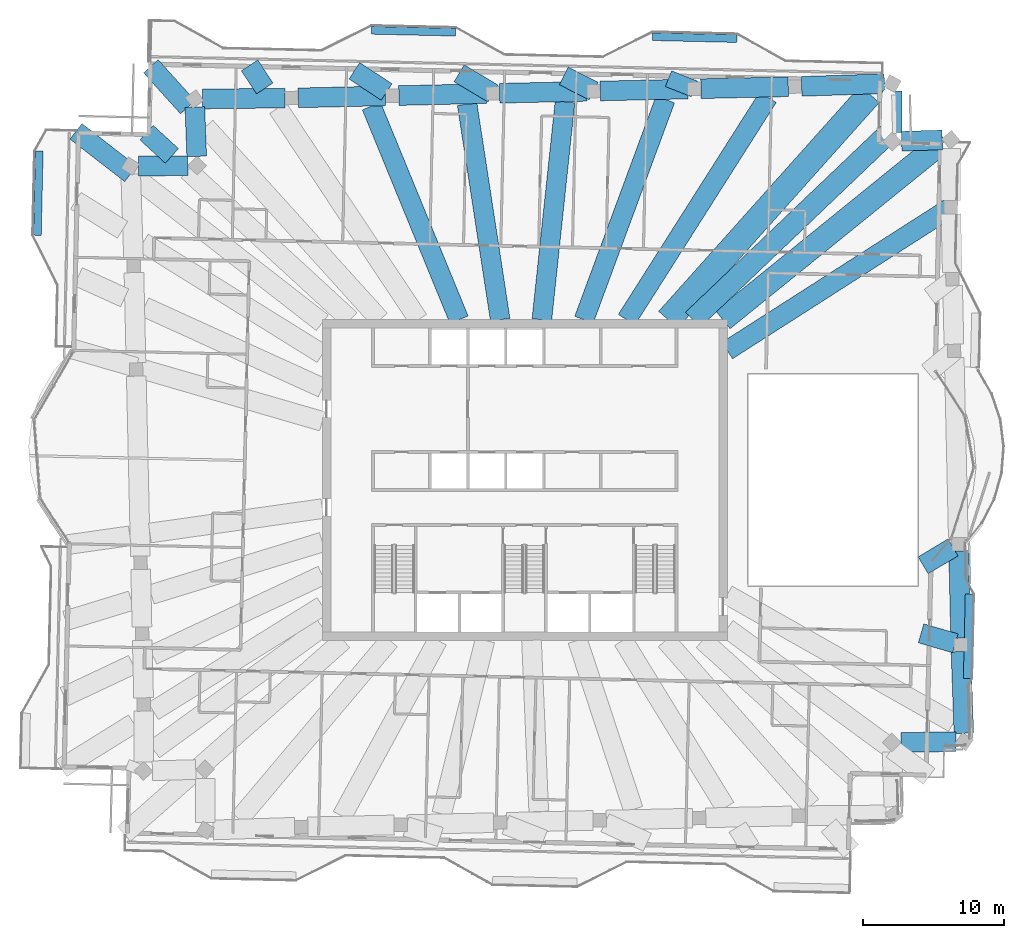
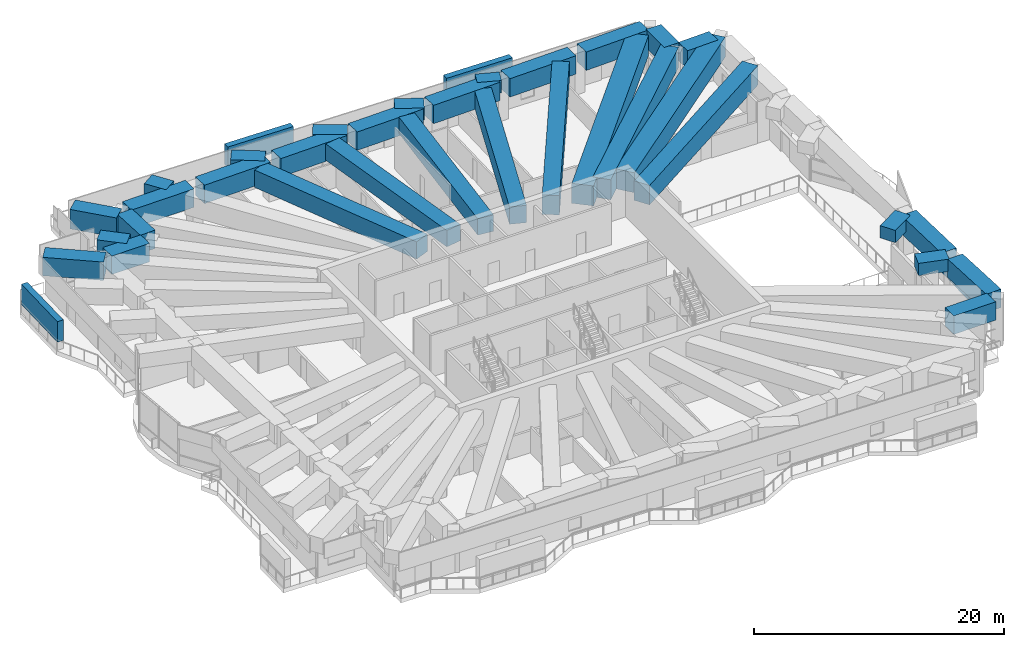
# One storey, part 5 of 20: 33 beams, 4 members.
"""IFC4 building model written with IfcOpenShell, lengths in metres."""

from ifc_helpers import new_model, si_unit, direction, frame, origin, origin_2d, place, context, subcontext, project, spatial, rectangle, extrude, material, material_profile, profile_set, type_object, element, save


model = new_model("IFC4")

# Units and contexts
model_context = context("Model", 3, precision=1e-05, world=origin(), true_north=direction((0.0, 1.0)))
body_context = subcontext(model_context, "Body", "Model", "MODEL_VIEW")
ifc_project = project(units=[si_unit("LENGTHUNIT", "METRE"), si_unit("AREAUNIT", "SQUARE_METRE"), si_unit("VOLUMEUNIT", "CUBIC_METRE"), si_unit("PLANEANGLEUNIT", "RADIAN"), si_unit("MASSUNIT", "GRAM", prefix="KILO")], contexts=[model_context])

# Site, building, storey
site_placement = place(None, origin())
site = spatial("IfcSite", under=ifc_project, at=site_placement, CompositionType="ELEMENT")
building_placement = place(site_placement, origin())
building = spatial("IfcBuilding", under=site, at=building_placement, Name="Mangrove Gate Tower", CompositionType="ELEMENT")
storey_placement = place(building_placement, frame((0.0, 0.0, 301.5)))
storey = spatial("IfcBuildingStorey", under=building, at=storey_placement, Name="L77", CompositionType="ELEMENT", Elevation=301.5)

# Members
ifc_material_1 = material(Name="Planting on aluminium trellis", Category="aluminium")
ifc_material_profile_1 = material_profile(ifc_material_1, rectangle(XDim=0.550048828125, YDim=2.0, at=origin_2d()))
ifc_profile_set_1 = profile_set([ifc_material_profile_1], Name="Planting on aluminium trellis")
member_type = type_object("IfcMemberType", Name="Balcony greenery screen 550x2000", PredefinedType="USERDEFINED", material=ifc_profile_set_1)
member_1_placement = place(storey_placement, frame((31.466064453125, -14.10498046875, 1.800048828125), z_axis=(0.022662255828, 0.999743178102, 0.0), x_axis=(-0.999743178102, 0.022662255828, 0.0)))
element("IfcMember", 1, at=member_1_placement, inside=storey, type_object=member_type, Name="GREEN SCREEN L77 E0.1", ObjectType="PLANTING", PredefinedType="USERDEFINED", context=body_context, shape_type="SweptSolid", body=[
    extrude(rectangle(XDim=0.550048828125, YDim=2.0, at=origin_2d()), origin(), (0.0, 0.0, 1.0), 6.00048828125),
])
member_2_placement = place(storey_placement, frame((9.0810546875, 31.530029296875, 1.800048828125), z_axis=(0.999743094499, -0.022665943652, 0.0), x_axis=(0.022665943652, 0.999743094499, 0.0)))
element("IfcMember", 2, at=member_2_placement, inside=storey, type_object=member_type, Name="GREEN SCREEN L77 N0.1", ObjectType="PLANTING", PredefinedType="USERDEFINED", context=body_context, shape_type="SweptSolid", body=[
    extrude(rectangle(XDim=0.550048828125, YDim=2.0, at=origin_2d()), origin(), (0.0, 0.0, 1.0), 5.99951171875),
])
member_3_placement = place(storey_placement, frame((-10.9140625, 31.98388671875, 1.800048828125), z_axis=(0.999743178102, -0.022662255828, 0.0), x_axis=(0.022662255828, 0.999743178102, 0.0)))
element("IfcMember", 3, at=member_3_placement, inside=storey, type_object=member_type, Name="GREEN SCREEN L77 N1.1", ObjectType="PLANTING", PredefinedType="USERDEFINED", context=body_context, shape_type="SweptSolid", body=[
    extrude(rectangle(XDim=0.550048828125, YDim=2.0, at=origin_2d()), origin(), (0.0, 0.0, 1.0), 6.00048828125),
])
member_4_placement = place(storey_placement, frame((-34.666015625, 17.405029296875, 1.800048828125), z_axis=(0.022665943652, 0.999743094499, 0.0), x_axis=(-0.999743094499, 0.022665943652, 0.0)))
element("IfcMember", 4, at=member_4_placement, inside=storey, type_object=member_type, Name="GREEN SCREEN L77 W0.1", ObjectType="PLANTING", PredefinedType="USERDEFINED", context=body_context, shape_type="SweptSolid", body=[
    extrude(rectangle(XDim=0.550048828125, YDim=2.0, at=origin_2d()), origin(), (0.0, 0.0, 1.0), 5.99951171875),
])

# Beams
ifc_material_2 = material(Name="Concrete C50/60", Category="concrete")
ifc_material_profile_2 = material_profile(ifc_material_2, rectangle(XDim=1.199951171875, YDim=1.199951171875, at=origin_2d()))
ifc_profile_set_2 = profile_set([ifc_material_profile_2], Name="Concrete C50/60")
beam_type_1 = type_object("IfcBeamType", Name="Transfer girder RC 1200x1200 C50/60", PredefinedType="BEAM", material=ifc_profile_set_2)
beam_1_placement = place(storey_placement, frame((12.052734375, 27.819091796875, 3.449951171875), z_axis=(-0.930418625067, 0.366498543145, 0.0), x_axis=(-0.366498543145, -0.930418625067, 0.0)))
element("IfcBeam", 5, at=beam_1_placement, inside=storey, type_object=beam_type_1, Name="Transfer edge girder L77 25", PredefinedType="BEAM", context=body_context, shape_type="SweptSolid", body=[
    extrude(rectangle(XDim=1.199951171875, YDim=1.199951171875, at=origin_2d()), origin(), (0.0, 0.0, 1.0), 1.972412109375),
])
ifc_material_3 = material(Name="Concrete C50/60", Category="concrete")
ifc_material_profile_3 = material_profile(ifc_material_3, rectangle(XDim=1.39990234375, YDim=1.199951171875, at=origin_2d()))
ifc_profile_set_3 = profile_set([ifc_material_profile_3], Name="Concrete C50/60")
beam_type_2 = type_object("IfcBeamType", Name="Transfer girder RC 1400x1200 C50/60", PredefinedType="BEAM", material=ifc_profile_set_3)
beam_2_placement = place(storey_placement, frame((30.621826171875, -11.6123046875, 3.449951171875), z_axis=(-0.960089299308, 0.279693649113, 0.0), x_axis=(-0.279693649113, -0.960089299308, 0.0)))
element("IfcBeam", 6, at=beam_2_placement, inside=storey, type_object=beam_type_2, Name="Transfer edge girder L77 16", PredefinedType="BEAM", context=body_context, shape_type="SweptSolid", body=[
    extrude(rectangle(XDim=1.39990234375, YDim=1.199951171875, at=origin_2d()), origin(), (0.0, 0.0, 1.0), 2.5400390625),
])
beam_3_placement = place(storey_placement, frame((30.458251953125, -4.792724609375, 3.449951171875), z_axis=(-0.85835129004, -0.513062435661, 0.0), x_axis=(0.513062435661, -0.85835129004, 0.0)))
element("IfcBeam", 7, at=beam_3_placement, inside=storey, type_object=beam_type_2, Name="Transfer edge girder L77 17", PredefinedType="BEAM", context=body_context, shape_type="SweptSolid", body=[
    extrude(rectangle(XDim=1.39990234375, YDim=1.199951171875, at=origin_2d()), origin(), (0.0, 0.0, 1.0), 2.481201171875),
])
beam_4_placement = place(storey_placement, frame((4.891845703125, 27.656005859375, 3.449951171875), z_axis=(-0.890451318412, 0.455078509202, 0.0), x_axis=(-0.455078509202, -0.890451318412, 0.0)))
element("IfcBeam", 8, at=beam_4_placement, inside=storey, type_object=beam_type_2, Name="Transfer edge girder L77 26", PredefinedType="BEAM", context=body_context, shape_type="SweptSolid", body=[
    extrude(rectangle(XDim=1.39990234375, YDim=1.199951171875, at=origin_2d()), origin(), (0.0, 0.0, 1.0), 2.378662109375),
])
beam_5_placement = place(storey_placement, frame((-2.268310546875, 27.494140625, 3.449951171875), z_axis=(-0.859358638696, 0.511373376408, 0.0), x_axis=(-0.511373376408, -0.859358638696, 0.0)))
element("IfcBeam", 9, at=beam_5_placement, inside=storey, type_object=beam_type_2, Name="Transfer edge girder L77 27", PredefinedType="BEAM", context=body_context, shape_type="SweptSolid", body=[
    extrude(rectangle(XDim=1.39990234375, YDim=1.199951171875, at=origin_2d()), origin(), (0.0, 0.0, 1.0), 2.797119140625),
])
beam_6_placement = place(storey_placement, frame((-9.828125, 27.59423828125, 3.449951171875), z_axis=(-0.834844866754, 0.550485284503, 0.0), x_axis=(-0.550485284503, -0.834844866754, 0.0)))
element("IfcBeam", 10, at=beam_6_placement, inside=storey, type_object=beam_type_2, Name="Transfer edge girder L77 28", PredefinedType="BEAM", context=body_context, shape_type="SweptSolid", body=[
    extrude(rectangle(XDim=1.39990234375, YDim=1.199951171875, at=origin_2d()), origin(), (0.0, 0.0, 1.0), 2.744873046875),
])
ifc_material_4 = material(Name="Concrete C50/60", Category="concrete")
ifc_material_profile_4 = material_profile(ifc_material_4, rectangle(XDim=1.39990234375, YDim=1.60009765625, at=origin_2d()))
ifc_profile_set_4 = profile_set([ifc_material_profile_4], Name="Concrete C50/60")
beam_type_3 = type_object("IfcBeamType", Name="Transfer girder RC 1400x1600 C50/60", PredefinedType="BEAM", material=ifc_profile_set_4)
beam_7_placement = place(storey_placement, frame((1.2119140625, 11.39990234375, 3.25), z_axis=(0.105718815224, 0.994396064004, 0.0), x_axis=(-0.994396064004, 0.105718815224, 0.0)))
element("IfcBeam", 11, at=beam_7_placement, inside=storey, type_object=beam_type_3, Name="Transfer girder L77 26", PredefinedType="BEAM", context=body_context, shape_type="SweptSolid", body=[
    extrude(rectangle(XDim=1.39990234375, YDim=1.60009765625, at=origin_2d()), origin(), (0.0, 0.0, 1.0), 15.58349609375),
])
beam_8_placement = place(storey_placement, frame((-1.7490234375, 11.39990234375, 3.25), z_axis=(-0.151649298483, 0.988434363157, 0.0), x_axis=(-0.988434363157, -0.151649298483, 0.0)))
element("IfcBeam", 12, at=beam_8_placement, inside=storey, type_object=beam_type_3, Name="Transfer girder L77 27", PredefinedType="BEAM", context=body_context, shape_type="SweptSolid", body=[
    extrude(rectangle(XDim=1.39990234375, YDim=1.60009765625, at=origin_2d()), origin(), (0.0, 0.0, 1.0), 15.517822265625),
])
beam_9_placement = place(storey_placement, frame((-25.098876953125, 23.051513671875, 3.25), z_axis=(-0.736508614695, 0.676428163577, 0.0), x_axis=(-0.676428163577, -0.736508614695, 0.0)))
element("IfcBeam", 13, at=beam_9_placement, inside=storey, type_object=beam_type_3, Name="Transfer cantilever girder L77 31", PredefinedType="BEAM", context=body_context, shape_type="SweptSolid", body=[
    extrude(rectangle(XDim=1.39990234375, YDim=1.60009765625, at=origin_2d()), origin(), (0.0, 0.0, 1.0), 2.450439453125),
])
ifc_material_5 = material(Name="Concrete C50/60", Category="concrete")
ifc_material_profile_5 = material_profile(ifc_material_5, rectangle(XDim=1.39990234375, YDim=1.699951171875, at=origin_2d()))
ifc_profile_set_5 = profile_set([ifc_material_profile_5], Name="Concrete C50/60")
beam_type_4 = type_object("IfcBeamType", Name="Transfer girder RC 1400x1700 C50/60", PredefinedType="BEAM", material=ifc_profile_set_5)
beam_10_placement = place(storey_placement, frame((4.208740234375, 11.39990234375, 3.199951171875), z_axis=(0.346339442759, 0.938109263567, 0.0), x_axis=(-0.938109263567, 0.346339442759, 0.0)))
element("IfcBeam", 14, at=beam_10_placement, inside=storey, type_object=beam_type_4, Name="Transfer girder L77 25", PredefinedType="BEAM", context=body_context, shape_type="SweptSolid", body=[
    extrude(rectangle(XDim=1.39990234375, YDim=1.699951171875, at=origin_2d()), origin(), (0.0, 0.0, 1.0), 16.69873046875),
])
beam_11_placement = place(storey_placement, frame((-4.675537109375, 11.39990234375, 3.199951171875), z_axis=(-0.379448641317, 0.925212801794, 0.0), x_axis=(-0.925212801794, -0.379448641317, 0.0)))
element("IfcBeam", 15, at=beam_11_placement, inside=storey, type_object=beam_type_4, Name="Transfer girder L77 28", PredefinedType="BEAM", context=body_context, shape_type="SweptSolid", body=[
    extrude(rectangle(XDim=1.39990234375, YDim=1.699951171875, at=origin_2d()), origin(), (0.0, 0.0, 1.0), 16.416015625),
])
ifc_material_6 = material(Name="Concrete C50/60", Category="concrete")
ifc_material_profile_6 = material_profile(ifc_material_6, rectangle(XDim=1.39990234375, YDim=1.800048828125, at=origin_2d()))
ifc_profile_set_6 = profile_set([ifc_material_profile_6], Name="Concrete C50/60")
beam_type_5 = type_object("IfcBeamType", Name="Transfer girder RC 1400x1800 C50/60", PredefinedType="BEAM", material=ifc_profile_set_6)
beam_12_placement = place(storey_placement, frame((26.763916015625, -18.656005859375, 3.14990234375), z_axis=(0.99993236047, 0.011630755991, 0.0), x_axis=(-0.011630755991, 0.99993236047, 0.0)))
element("IfcBeam", 16, at=beam_12_placement, inside=storey, type_object=beam_type_5, Name="Transfer ring girder L77 13", PredefinedType="BEAM", context=body_context, shape_type="SweptSolid", body=[
    extrude(rectangle(XDim=1.39990234375, YDim=1.800048828125, at=origin_2d()), origin(), (0.0, 0.0, 1.0), 3.904296875),
])
beam_13_placement = place(storey_placement, frame((31.229248046875, -18.011474609375, 3.14990234375), z_axis=(-0.035802315604, 0.999358891589, 0.0), x_axis=(-0.999358891589, -0.035802315604, 0.0)))
element("IfcBeam", 17, at=beam_13_placement, inside=storey, type_object=beam_type_5, Name="Transfer ring girder L77 14", PredefinedType="BEAM", context=body_context, shape_type="SweptSolid", body=[
    extrude(rectangle(XDim=1.39990234375, YDim=1.800048828125, at=origin_2d()), origin(), (0.0, 0.0, 1.0), 5.816650390625),
])
beam_14_placement = place(storey_placement, frame((30.993408203125, -11.248779296875, 3.14990234375), z_axis=(-0.022756223778, 0.99974104361, 0.0), x_axis=(-0.99974104361, -0.022756223778, 0.0)))
element("IfcBeam", 18, at=beam_14_placement, inside=storey, type_object=beam_type_5, Name="Transfer ring girder L77 15", PredefinedType="BEAM", context=body_context, shape_type="SweptSolid", body=[
    extrude(rectangle(XDim=1.39990234375, YDim=1.800048828125, at=origin_2d()), origin(), (0.0, 0.0, 1.0), 6.2119140625),
])
beam_15_placement = place(storey_placement, frame((29.6865234375, 24.186279296875, 3.14990234375), z_axis=(-0.99952516479, -0.030813064624, 0.0), x_axis=(0.030813064624, -0.99952516479, 0.0)))
element("IfcBeam", 19, at=beam_15_placement, inside=storey, type_object=beam_type_5, Name="Transfer ring girder L77 20", PredefinedType="BEAM", context=body_context, shape_type="SweptSolid", body=[
    extrude(rectangle(XDim=1.39990234375, YDim=1.800048828125, at=origin_2d()), origin(), (0.0, 0.0, 1.0), 2.89208984375),
])
beam_16_placement = place(storey_placement, frame((26.130126953125, 24.7333984375, 3.14990234375), z_axis=(0.00058381975, 0.999999829577, 0.0), x_axis=(-0.999999829577, 0.00058381975, 0.0)))
element("IfcBeam", 20, at=beam_16_placement, inside=storey, type_object=beam_type_5, Name="Transfer ring girder L77 21", PredefinedType="BEAM", context=body_context, shape_type="SweptSolid", body=[
    extrude(rectangle(XDim=1.39990234375, YDim=1.800048828125, at=origin_2d()), origin(), (0.0, 0.0, 1.0), 2.92724609375),
])
beam_17_placement = place(storey_placement, frame((25.57861328125, 28.18603515625, 3.14990234375), z_axis=(-0.999481964138, -0.032183899135, 0.0), x_axis=(0.032183899135, -0.999481964138, 0.0)))
element("IfcBeam", 21, at=beam_17_placement, inside=storey, type_object=beam_type_5, Name="Transfer ring girder L77 22", PredefinedType="BEAM", context=body_context, shape_type="SweptSolid", body=[
    extrude(rectangle(XDim=1.39990234375, YDim=1.800048828125, at=origin_2d()), origin(), (0.0, 0.0, 1.0), 5.894287109375),
])
beam_18_placement = place(storey_placement, frame((18.73779296875, 27.970458984375, 3.14990234375), z_axis=(-0.999743719116, -0.022638376468, 0.0), x_axis=(0.022638376468, -0.999743719116, 0.0)))
element("IfcBeam", 22, at=beam_18_placement, inside=storey, type_object=beam_type_5, Name="Transfer ring girder L77 23", PredefinedType="BEAM", context=body_context, shape_type="SweptSolid", body=[
    extrude(rectangle(XDim=1.39990234375, YDim=1.800048828125, at=origin_2d()), origin(), (0.0, 0.0, 1.0), 6.2119140625),
])
beam_19_placement = place(storey_placement, frame((11.577880859375, 27.808349609375, 3.14990234375), z_axis=(-0.999741125002, -0.022752647749, 0.0), x_axis=(0.022752647749, -0.999741125002, 0.0)))
element("IfcBeam", 23, at=beam_19_placement, inside=storey, type_object=beam_type_5, Name="Transfer ring girder L77 24", PredefinedType="BEAM", context=body_context, shape_type="SweptSolid", body=[
    extrude(rectangle(XDim=1.39990234375, YDim=1.800048828125, at=origin_2d()), origin(), (0.0, 0.0, 1.0), 6.212890625),
])
beam_20_placement = place(storey_placement, frame((4.4169921875, 27.645263671875, 3.14990234375), z_axis=(-0.999744627938, -0.022598205876, 0.0), x_axis=(0.022598205876, -0.999744627938, 0.0)))
element("IfcBeam", 24, at=beam_20_placement, inside=storey, type_object=beam_type_5, Name="Transfer ring girder L77 25", PredefinedType="BEAM", context=body_context, shape_type="SweptSolid", body=[
    extrude(rectangle(XDim=1.39990234375, YDim=1.800048828125, at=origin_2d()), origin(), (0.0, 0.0, 1.0), 6.2119140625),
])
beam_21_placement = place(storey_placement, frame((-2.7431640625, 27.4833984375, 3.14990234375), z_axis=(-0.999741125002, -0.022752647749, 0.0), x_axis=(0.022752647749, -0.999741125002, 0.0)))
element("IfcBeam", 25, at=beam_21_placement, inside=storey, type_object=beam_type_5, Name="Transfer ring girder L77 26", PredefinedType="BEAM", context=body_context, shape_type="SweptSolid", body=[
    extrude(rectangle(XDim=1.39990234375, YDim=1.800048828125, at=origin_2d()), origin(), (0.0, 0.0, 1.0), 6.212890625),
])
beam_22_placement = place(storey_placement, frame((-9.904052734375, 27.3203125, 3.14990234375), z_axis=(-0.999744607867, -0.022599093821, 0.0), x_axis=(0.022599093821, -0.999744607867, 0.0)))
element("IfcBeam", 26, at=beam_22_placement, inside=storey, type_object=beam_type_5, Name="Transfer ring girder L77 27", PredefinedType="BEAM", context=body_context, shape_type="SweptSolid", body=[
    extrude(rectangle(XDim=1.39990234375, YDim=1.800048828125, at=origin_2d()), origin(), (0.0, 0.0, 1.0), 6.211669921875),
])
beam_23_placement = place(storey_placement, frame((-17.064208984375, 27.163818359375, 3.14990234375), z_axis=(-0.999938328847, -0.011105786867, 0.0), x_axis=(0.011105786867, -0.999938328847, 0.0)))
element("IfcBeam", 27, at=beam_23_placement, inside=storey, type_object=beam_type_5, Name="Transfer ring girder L77 28", PredefinedType="BEAM", context=body_context, shape_type="SweptSolid", body=[
    extrude(rectangle(XDim=1.39990234375, YDim=1.800048828125, at=origin_2d()), origin(), (0.0, 0.0, 1.0), 5.847412109375),
])
beam_24_placement = place(storey_placement, frame((-23.46630859375, 26.52685546875, 3.14990234375), z_axis=(0.037803278798, -0.999285200587, 0.0), x_axis=(0.999285200587, 0.037803278798, 0.0)))
element("IfcBeam", 28, at=beam_24_placement, inside=storey, type_object=beam_type_5, Name="Transfer ring girder L77 29", PredefinedType="BEAM", context=body_context, shape_type="SweptSolid", body=[
    extrude(rectangle(XDim=1.39990234375, YDim=1.800048828125, at=origin_2d()), origin(), (0.0, 0.0, 1.0), 3.51318359375),
])
beam_25_placement = place(storey_placement, frame((-23.9697265625, 22.3505859375, 3.14990234375), z_axis=(-0.999978236017, -0.006597536803, 0.0), x_axis=(0.006597536803, -0.999978236017, 0.0)))
element("IfcBeam", 29, at=beam_25_placement, inside=storey, type_object=beam_type_5, Name="Transfer ring girder L77 30", PredefinedType="BEAM", context=body_context, shape_type="SweptSolid", body=[
    extrude(rectangle(XDim=1.39990234375, YDim=1.800048828125, at=origin_2d()), origin(), (0.0, 0.0, 1.0), 3.515380859375),
])
beam_26_placement = place(storey_placement, frame((-28.02783203125, 21.7763671875, 3.14990234375), z_axis=(-0.78967217642, 0.613529016255, 0.0), x_axis=(-0.613529016255, -0.78967217642, 0.0)))
element("IfcBeam", 30, at=beam_26_placement, inside=storey, type_object=beam_type_5, Name="Transfer cantilever girder L77 32", PredefinedType="BEAM", context=body_context, shape_type="SweptSolid", body=[
    extrude(rectangle(XDim=1.39990234375, YDim=1.800048828125, at=origin_2d()), origin(), (0.0, 0.0, 1.0), 4.9287109375),
])
ifc_material_7 = material(Name="Concrete C50/60", Category="concrete")
ifc_material_profile_7 = material_profile(ifc_material_7, rectangle(XDim=1.39990234375, YDim=1.89990234375, at=origin_2d()))
ifc_profile_set_7 = profile_set([ifc_material_profile_7], Name="Concrete C50/60")
beam_type_6 = type_object("IfcBeamType", Name="Transfer girder RC 1400x1900 C50/60", PredefinedType="BEAM", material=ifc_profile_set_7)
beam_27_placement = place(storey_placement, frame((14.39990234375, 9.21435546875, 3.10009765625), z_axis=(0.842317205476, 0.538982119702, 0.0), x_axis=(-0.538982119702, 0.842317205476, 0.0)))
element("IfcBeam", 31, at=beam_27_placement, inside=storey, type_object=beam_type_6, Name="Transfer girder L77 20", PredefinedType="BEAM", context=body_context, shape_type="SweptSolid", body=[
    extrude(rectangle(XDim=1.39990234375, YDim=1.89990234375, at=origin_2d()), origin(), (0.0, 0.0, 1.0), 18.874755859375),
])
beam_28_placement = place(storey_placement, frame((7.240966796875, 11.39990234375, 3.10009765625), z_axis=(0.53614796151, 0.844124021319, 0.0), x_axis=(-0.844124021319, 0.53614796151, 0.0)))
element("IfcBeam", 32, at=beam_28_placement, inside=storey, type_object=beam_type_6, Name="Transfer girder L77 24", PredefinedType="BEAM", context=body_context, shape_type="SweptSolid", body=[
    extrude(rectangle(XDim=1.39990234375, YDim=1.89990234375, at=origin_2d()), origin(), (0.0, 0.0, 1.0), 18.743896484375),
])
beam_29_placement = place(storey_placement, frame((-18.490234375, 27.85302734375, 3.10009765625), z_axis=(-0.553058791293, 0.833142228778, 0.0), x_axis=(-0.833142228778, -0.553058791293, 0.0)))
element("IfcBeam", 33, at=beam_29_placement, inside=storey, type_object=beam_type_6, Name="Transfer cantilever girder L77 29", PredefinedType="BEAM", context=body_context, shape_type="SweptSolid", body=[
    extrude(rectangle(XDim=1.39990234375, YDim=1.89990234375, at=origin_2d()), origin(), (0.0, 0.0, 1.0), 1.957763671875),
])
beam_30_placement = place(storey_placement, frame((-23.967041015625, 26.516357421875, 3.10009765625), z_axis=(-0.670529775575, 0.741882618793, 0.0), x_axis=(-0.741882618793, -0.670529775575, 0.0)))
element("IfcBeam", 34, at=beam_30_placement, inside=storey, type_object=beam_type_6, Name="Transfer cantilever girder L77 30", PredefinedType="BEAM", context=body_context, shape_type="SweptSolid", body=[
    extrude(rectangle(XDim=1.39990234375, YDim=1.89990234375, at=origin_2d()), origin(), (0.0, 0.0, 1.0), 3.917724609375),
])
ifc_material_8 = material(Name="Concrete C50/60", Category="concrete")
ifc_material_profile_8 = material_profile(ifc_material_8, rectangle(XDim=1.5, YDim=1.949951171875, at=origin_2d()))
ifc_profile_set_8 = profile_set([ifc_material_profile_8], Name="Concrete C50/60")
beam_type_7 = type_object("IfcBeamType", Name="Transfer girder RC 1500x1950 C50/60", PredefinedType="BEAM", material=ifc_profile_set_8)
beam_31_placement = place(storey_placement, frame((11.95361328125, 11.39990234375, 3.074951171875), z_axis=(0.723666614343, 0.690149716572, 0.0), x_axis=(-0.690149716572, 0.723666614343, 0.0)))
element("IfcBeam", 35, at=beam_31_placement, inside=storey, type_object=beam_type_7, Name="Transfer girder L77 22", PredefinedType="BEAM", context=body_context, shape_type="SweptSolid", body=[
    extrude(rectangle(XDim=1.5, YDim=1.949951171875, at=origin_2d()), origin(), (0.0, 0.0, 1.0), 19.31005859375),
])
ifc_material_9 = material(Name="Concrete C50/60", Category="concrete")
ifc_material_profile_9 = material_profile(ifc_material_9, rectangle(XDim=1.64990234375, YDim=1.949951171875, at=origin_2d()))
ifc_profile_set_9 = profile_set([ifc_material_profile_9], Name="Concrete C50/60")
beam_type_8 = type_object("IfcBeamType", Name="Transfer girder RC 1650x1950 C50/60", PredefinedType="BEAM", material=ifc_profile_set_9)
beam_32_placement = place(storey_placement, frame((14.081787109375, 11.39990234375, 3.074951171875), z_axis=(0.777230888146, 0.629215500851, 0.0), x_axis=(-0.629215500851, 0.777230888146, 0.0)))
element("IfcBeam", 36, at=beam_32_placement, inside=storey, type_object=beam_type_8, Name="Transfer girder L77 21", PredefinedType="BEAM", context=body_context, shape_type="SweptSolid", body=[
    extrude(rectangle(XDim=1.64990234375, YDim=1.949951171875, at=origin_2d()), origin(), (0.0, 0.0, 1.0), 20.330810546875),
])
ifc_material_10 = material(Name="Concrete C50/60", Category="concrete")
ifc_material_profile_10 = material_profile(ifc_material_10, rectangle(XDim=1.800048828125, YDim=1.949951171875, at=origin_2d()))
ifc_profile_set_10 = profile_set([ifc_material_profile_10], Name="Concrete C50/60")
beam_type_9 = type_object("IfcBeamType", Name="Transfer girder RC 1800x1950 C50/60", PredefinedType="BEAM", material=ifc_profile_set_10)
beam_33_placement = place(storey_placement, frame((10.19287109375, 11.39990234375, 3.074951171875), z_axis=(0.666524885845, 0.745482780854, 0.0), x_axis=(-0.745482780854, 0.666524885845, 0.0)))
element("IfcBeam", 37, at=beam_33_placement, inside=storey, type_object=beam_type_9, Name="Transfer girder L77 23", PredefinedType="BEAM", context=body_context, shape_type="SweptSolid", body=[
    extrude(rectangle(XDim=1.800048828125, YDim=1.949951171875, at=origin_2d()), origin(), (0.0, 0.0, 1.0), 21.5205078125),
])

save(model, "model.ifc")
